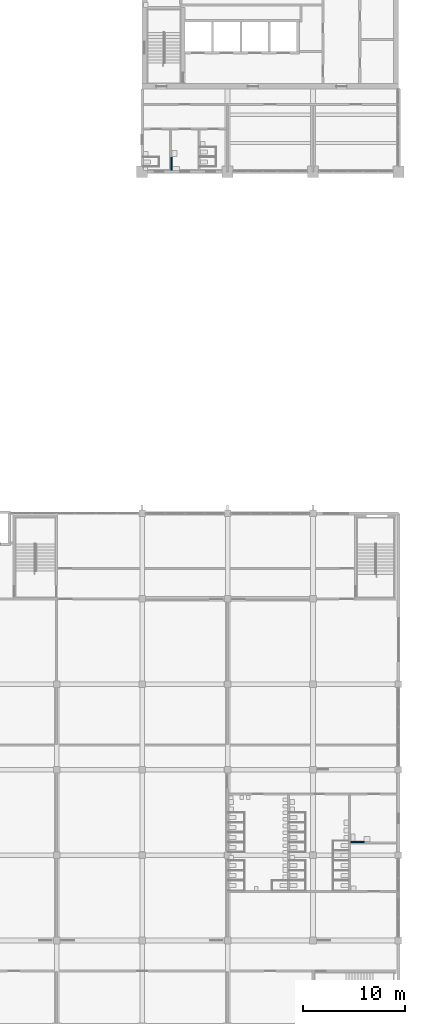
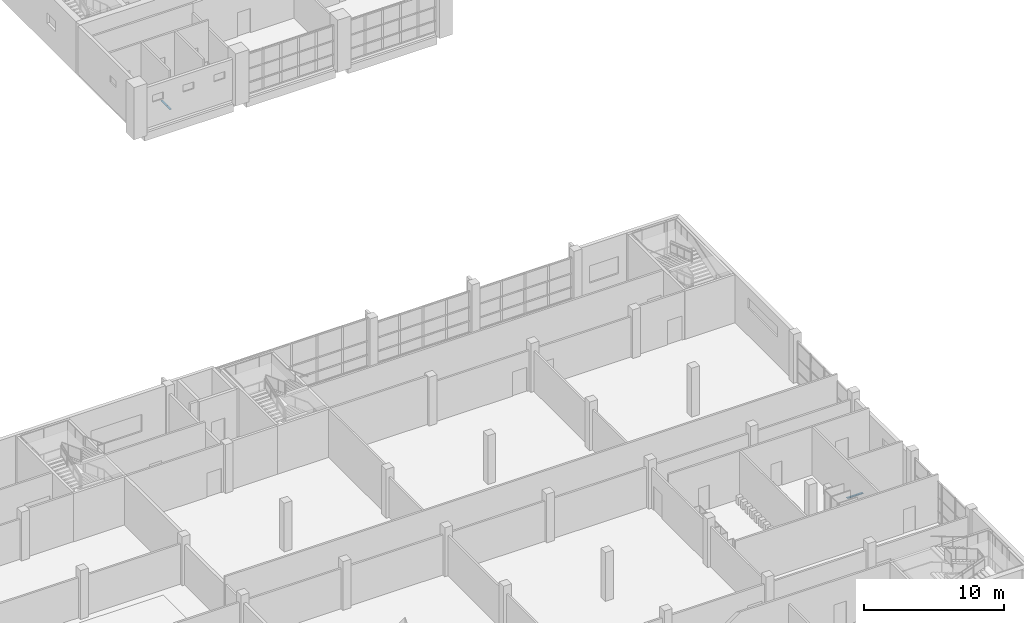
# One storey, part 39 of 64: 4 discrete accessories.
"""IFC4 building model written with IfcOpenShell, lengths in metres."""

from ifc_helpers import new_model, si_unit, direction, frame, origin, origin_2d, place, context, subcontext, project, spatial, rectangle, extrude, material, type_object, element, save


model = new_model("IFC4")

# Units and contexts
model_context = context("Model", 3, precision=1e-05, world=origin(), true_north=direction((0.0, 1.0)))
body_context = subcontext(model_context, "Body", "Model", "MODEL_VIEW")
ifc_project = project(units=[si_unit("LENGTHUNIT", "METRE"), si_unit("AREAUNIT", "SQUARE_METRE"), si_unit("VOLUMEUNIT", "CUBIC_METRE"), si_unit("PLANEANGLEUNIT", "RADIAN"), si_unit("MASSUNIT", "GRAM", prefix="KILO")], contexts=[model_context])

# Site, building, storey
site_placement = place(None, origin())
site = spatial("IfcSite", under=ifc_project, at=site_placement, CompositionType="ELEMENT")
building_placement = place(site_placement, origin())
building = spatial("IfcBuilding", under=site, at=building_placement, Name="Rulbaag Community and Learning Centre", CompositionType="ELEMENT")
storey_placement = place(building_placement, frame((0.0, 0.0, 5.39990234375)))
storey = spatial("IfcBuildingStorey", under=building, at=storey_placement, Name="L01", CompositionType="ELEMENT", Elevation=5.39990234375)

# Discrete accessories
ifc_material = material(Name="Stainless steel grade 316", Category="steel")
discrete_accessory_type = type_object("IfcDiscreteAccessoryType", Name="GR-800", PredefinedType="USERDEFINED", material=ifc_material)
for number, where, z_axis, x_axis, name in (
    (1, (163.72998046875, 18.0849609375, 0.72998046875), (0.0, 0.0, 1.0), (1.0, 0.0, 0.0), "Grab rail"),
    (2, (164.22998046875, 18.0849609375, 0.72998046875), (0.0, 0.0, 1.0), (1.0, 0.0, 0.0), "Grab rail"),
):
    element("IfcDiscreteAccessory", number, at=place(storey_placement, frame(where, z_axis=z_axis, x_axis=x_axis)), inside=storey, type_object=discrete_accessory_type, Name=name, ObjectType="GRAB RAIL", PredefinedType="USERDEFINED", context=body_context, shape_type="SweptSolid", body=[
        extrude(rectangle(XDim=0.800048828125, YDim=0.169921875, at=origin_2d()), origin(), (0.0, 0.0, 1.0), 0.0400390625),
    ])
for number, where, z_axis, x_axis, name in (
    (3, (145.68505859375, 84.530029296875, 0.72998046875), (0.0, 0.0, 1.0), (1.0, 0.0, 0.0), "Grab rail"),
    (4, (145.68505859375, 85.030029296875, 0.72998046875), (0.0, 0.0, 1.0), (1.0, 0.0, 0.0), "Grab rail"),
):
    element("IfcDiscreteAccessory", number, at=place(storey_placement, frame(where, z_axis=z_axis, x_axis=x_axis)), inside=storey, type_object=discrete_accessory_type, Name=name, ObjectType="GRAB RAIL", PredefinedType="USERDEFINED", context=body_context, shape_type="SweptSolid", body=[
        extrude(rectangle(XDim=0.169921875, YDim=0.800048828125, at=origin_2d()), origin(), (0.0, 0.0, 1.0), 0.0400390625),
    ])

save(model, "model.ifc")
